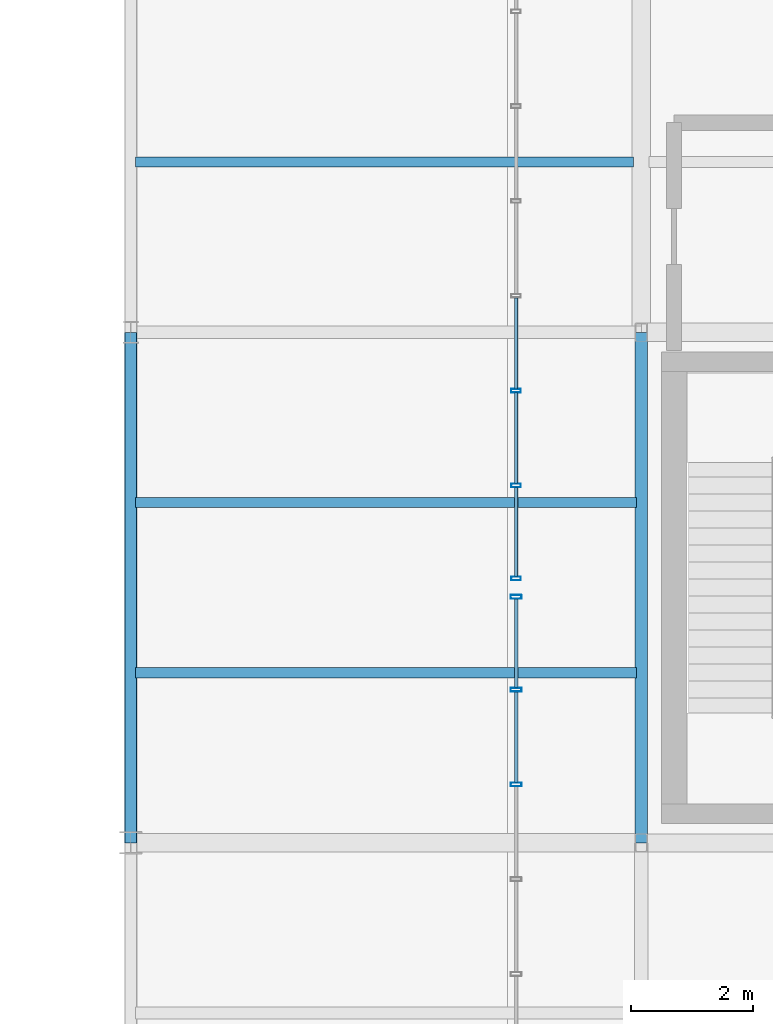
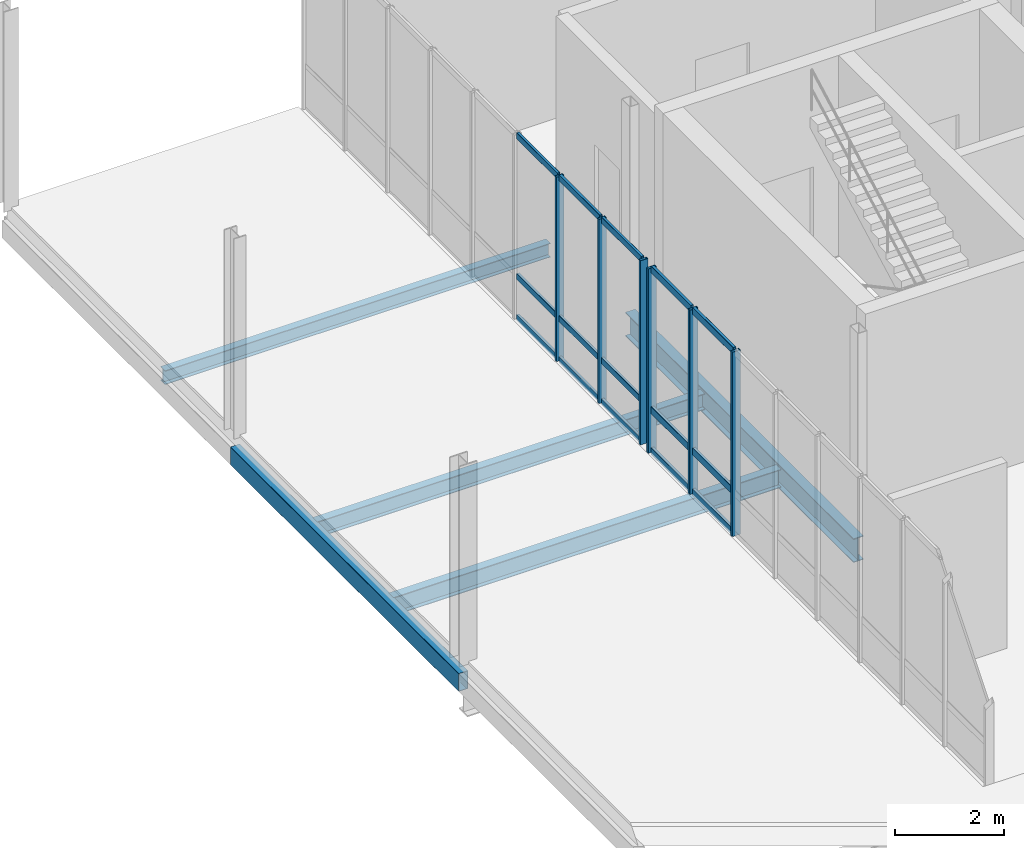
# One storey, part 42 of 68: 21 members, 5 beams, 2 elements without a shape of their own.
"""IFC4 building model written with IfcOpenShell, lengths in metres."""

from ifc_helpers import new_model, si_unit, direction, frame, origin_with_axes, origin_2d_with_axis, place, context, subcontext, project, spatial, hollow_rectangle, i_section, extrude, material, material_profile, profile_set, type_object, element, aggregate, save


model = new_model("IFC4")

# Units and contexts
model_context = context("Model", 3, precision=1e-05, world=origin_with_axes(), true_north=direction((0.0, 1.0)))
body_context = subcontext(model_context, "Body", "Model", "MODEL_VIEW")
ifc_project = project(units=[si_unit("LENGTHUNIT", "METRE"), si_unit("AREAUNIT", "SQUARE_METRE"), si_unit("VOLUMEUNIT", "CUBIC_METRE"), si_unit("PLANEANGLEUNIT", "RADIAN"), si_unit("MASSUNIT", "GRAM", prefix="KILO"), si_unit("THERMODYNAMICTEMPERATUREUNIT", "KELVIN")], contexts=[model_context])

# Site, building, storey
site_placement = place(None, origin_with_axes())
site = spatial("IfcSite", under=ifc_project, at=site_placement, CompositionType="ELEMENT")
building_placement = place(site_placement, origin_with_axes())
building = spatial("IfcBuilding", under=site, at=building_placement, Name="Montbau Bow Law Courts", CompositionType="ELEMENT")
storey_placement = place(building_placement, frame((0.0, 0.0, 20.4), z_axis=(0.0, 0.0, 1.0), x_axis=(1.0, 0.0, 0.0)))
storey = spatial("IfcBuildingStorey", under=building, at=storey_placement, Name="L04", CompositionType="ELEMENT", Elevation=20.4)

# Beams
ifc_material_1 = material(Name="Steel CSA G40.21 Grade 350W (350 MPa)", Category="steel")
ifc_material_profile_1 = material_profile(ifc_material_1, i_section(OverallWidth=0.21, OverallDepth=0.537, WebThickness=0.0109, FlangeThickness=0.0174, at=origin_2d_with_axis()), Name="W530X101", Category="Main", Priority=0)
ifc_profile_set_1 = profile_set([ifc_material_profile_1], Name="Steel CSA G40.21 Grade 350W (350 MPa)")
beam_type_1 = type_object("IfcBeamType", Name="B-FLR-06", PredefinedType="BEAM", material=ifc_profile_set_1)
beam_1_placement = place(None, frame((147.0, 86.4, 19.931), z_axis=(0.0, 1.0, 0.0), x_axis=(-1.0, 0.0, 0.0)))
element("IfcBeam", 1, at=beam_1_placement, inside=storey, type_object=beam_type_1, Name="BM-L04-S1271:bm2_1274", PredefinedType="BEAM", context=body_context, shape_type="SweptSolid", body=[
    extrude(i_section(OverallWidth=0.21, OverallDepth=0.537, WebThickness=0.0109, FlangeThickness=0.0174, at=origin_2d_with_axis()), origin_with_axes(), (0.0, 0.0, 1.0), 8.4),
])
ifc_material_profile_2 = material_profile(ifc_material_1, i_section(OverallWidth=0.179, OverallDepth=0.41, WebThickness=0.0088, FlangeThickness=0.0144, at=origin_2d_with_axis()), Name="W410X67", Category="Main", Priority=0)
ifc_profile_set_2 = profile_set([ifc_material_profile_2], Name="Steel CSA G40.21 Grade 350W (350 MPa)")
beam_type_2 = type_object("IfcBeamType", Name="B-JST-02", PredefinedType="JOIST", material=ifc_profile_set_2)
beam_2_placement = place(None, frame((138.68, 89.2, 19.905), z_axis=(1.0, 0.0, 0.0), x_axis=(0.0, 1.0, 0.0)))
element("IfcBeam", 2, at=beam_2_placement, inside=storey, type_object=beam_type_2, Name="JST-L04-S0669:jst2_0669", PredefinedType="JOIST", context=body_context, shape_type="SweptSolid", body=[
    extrude(i_section(OverallWidth=0.179, OverallDepth=0.41, WebThickness=0.0088, FlangeThickness=0.0144, at=origin_2d_with_axis()), origin_with_axes(), (0.0, 0.0, 1.0), 8.239),
])
ifc_material_profile_3 = material_profile(ifc_material_1, i_section(OverallWidth=0.172, OverallDepth=0.358, WebThickness=0.0079, FlangeThickness=0.0131, at=origin_2d_with_axis()), Name="W360X57", Category="Main", Priority=0)
ifc_profile_set_3 = profile_set([ifc_material_profile_3], Name="Steel CSA G40.21 Grade 350W (350 MPa)")
beam_type_3 = type_object("IfcBeamType", Name="B-JST-03", PredefinedType="JOIST", material=ifc_profile_set_3)
beam_3_placement = place(None, frame((138.68, 92.0, 19.931), z_axis=(1.0, 0.0, 0.0), x_axis=(0.0, 1.0, 0.0)))
element("IfcBeam", 3, at=beam_3_placement, inside=storey, type_object=beam_type_3, Name="JST-L04-S0670:jst2_0670", PredefinedType="JOIST", context=body_context, shape_type="SweptSolid", body=[
    extrude(i_section(OverallWidth=0.172, OverallDepth=0.358, WebThickness=0.0079, FlangeThickness=0.0131, at=origin_2d_with_axis()), origin_with_axes(), (0.0, 0.0, 1.0), 8.239),
])
ifc_material_profile_4 = material_profile(ifc_material_1, i_section(OverallWidth=0.166, OverallDepth=0.313, WebThickness=0.0066, FlangeThickness=0.0112, at=origin_2d_with_axis()), Name="W310X45", Category="Main", Priority=0)
ifc_profile_set_4 = profile_set([ifc_material_profile_4], Name="Steel CSA G40.21 Grade 350W (350 MPa)")
beam_type_4 = type_object("IfcBeamType", Name="B-JST-04", PredefinedType="JOIST", material=ifc_profile_set_4)
beam_4_placement = place(None, frame((138.68, 97.6, 19.953), z_axis=(1.0, 0.0, 0.0), x_axis=(0.0, 1.0, 0.0)))
element("IfcBeam", 4, at=beam_4_placement, inside=storey, type_object=beam_type_4, Name="JST-L04-S0671:jst2_0671", PredefinedType="JOIST", context=body_context, shape_type="SweptSolid", body=[
    extrude(i_section(OverallWidth=0.166, OverallDepth=0.313, WebThickness=0.0066, FlangeThickness=0.0112, at=origin_2d_with_axis()), origin_with_axes(), (0.0, 0.0, 1.0), 8.191),
])
ifc_material_2 = material(Name="Steel CSA G40.21 Grade 350WT (350 MPa)", Category="steel")
ifc_material_profile_5 = material_profile(ifc_material_2, hollow_rectangle(XDim=0.203, YDim=0.406, WallThickness=0.0127, InnerFilletRadius=0.0254, OuterFilletRadius=0.0127, at=origin_2d_with_axis()), Name="HSS406X203X13", Category="Main", Priority=0)
ifc_profile_set_5 = profile_set([ifc_material_profile_5], Name="Steel CSA G40.21 Grade 350WT (350 MPa)")
beam_type_5 = type_object("IfcBeamType", Name="B-SPN-01", PredefinedType="SPANDREL", material=ifc_profile_set_5)
beam_5_placement = place(None, frame((138.6, 86.4, 19.907), z_axis=(0.0, 1.0, 0.0), x_axis=(-1.0, 0.0, 0.0)))
element("IfcBeam", 5, at=beam_5_placement, inside=storey, type_object=beam_type_5, Name="SPN-L04-S1267:bm2_1270", PredefinedType="SPANDREL", context=body_context, shape_type="SweptSolid", body=[
    extrude(hollow_rectangle(XDim=0.203, YDim=0.406, WallThickness=0.0127, InnerFilletRadius=0.0254, OuterFilletRadius=0.0127, at=origin_2d_with_axis()), origin_with_axes(), (0.0, 0.0, 1.0), 8.4),
])

# Curtain wall, members
ifc_material_3 = material(Name="Thermally Broken Extruded Aluminium AA 6063-T6", Category="aluminium")
curtain_wall_type = type_object("IfcCurtainWallType", Name="CW-NCK-01", PredefinedType="NOTDEFINED", material=ifc_material_3)
curtain_wall_1_placement = place(None, frame((144.94, 78.0, 20.4), z_axis=(0.0, 0.0, 1.0), x_axis=(1.0, 0.0, 0.0)))
curtain_wall_1 = element("IfcCurtainWall", 6, at=curtain_wall_1_placement, inside=storey, type_object=curtain_wall_type, Name="CW-L04-328:cw_0328", PredefinedType="NOTDEFINED")
ifc_material_profile_6 = material_profile(ifc_material_3, hollow_rectangle(XDim=0.065, YDim=0.18, WallThickness=0.005, InnerFilletRadius=0.01, OuterFilletRadius=0.005, at=origin_2d_with_axis()), Name="CWM-180X65", Category="Main", Priority=0)
ifc_profile_set_6 = profile_set([ifc_material_profile_6], Name="Thermally Broken Extruded Aluminium AA 6063-T6")
member_type_1 = type_object("IfcMemberType", Name="M-MUL-02", PredefinedType="MULLION", material=ifc_profile_set_6)
member_1_placement = place(None, frame((144.94, 87.36, 20.4), z_axis=(0.0, 0.0, 1.0), x_axis=(0.0, 1.0, 0.0)))
member_1 = element("IfcMember", 7, at=member_1_placement, type_object=member_type_1, Name="CW-L04-328-M07:cw_0328_M07", PredefinedType="MULLION", context=body_context, shape_type="SweptSolid", body=[
    extrude(hollow_rectangle(XDim=0.065, YDim=0.18, WallThickness=0.005, InnerFilletRadius=0.01, OuterFilletRadius=0.005, at=origin_2d_with_axis()), origin_with_axes(), (0.0, 0.0, 1.0), 4.14),
])
member_2_placement = place(None, frame((144.94, 88.92, 20.4), z_axis=(0.0, 0.0, 1.0), x_axis=(0.0, 1.0, 0.0)))
member_2 = element("IfcMember", 8, at=member_2_placement, type_object=member_type_1, Name="CW-L04-328-M08:cw_0328_M08", PredefinedType="MULLION", context=body_context, shape_type="SweptSolid", body=[
    extrude(hollow_rectangle(XDim=0.065, YDim=0.18, WallThickness=0.005, InnerFilletRadius=0.01, OuterFilletRadius=0.005, at=origin_2d_with_axis()), origin_with_axes(), (0.0, 0.0, 1.0), 4.14),
])
member_3_placement = place(None, frame((144.94, 90.448, 20.4), z_axis=(0.0, 0.0, 1.0), x_axis=(0.0, 1.0, 0.0)))
member_3 = element("IfcMember", 9, at=member_3_placement, type_object=member_type_1, Name="CW-L04-328-M09:cw_0328_M09", PredefinedType="MULLION", context=body_context, shape_type="SweptSolid", body=[
    extrude(hollow_rectangle(XDim=0.065, YDim=0.18, WallThickness=0.005, InnerFilletRadius=0.01, OuterFilletRadius=0.005, at=origin_2d_with_axis()), origin_with_axes(), (0.0, 0.0, 1.0), 4.14),
])

curtain_wall_2_placement = place(None, frame((144.94, 90.72, 20.4), z_axis=(0.0, 0.0, 1.0), x_axis=(1.0, 0.0, 0.0)))
curtain_wall_2 = element("IfcCurtainWall", 10, at=curtain_wall_2_placement, inside=storey, type_object=curtain_wall_type, Name="CW-L04-329:cw_0329", PredefinedType="NOTDEFINED")
ifc_material_profile_7 = material_profile(ifc_material_3, hollow_rectangle(XDim=0.06, YDim=0.16, WallThickness=0.004, InnerFilletRadius=0.008, OuterFilletRadius=0.004, at=origin_2d_with_axis()), Name="CWM-160X60", Category="Main", Priority=0)
ifc_profile_set_7 = profile_set([ifc_material_profile_7], Name="Thermally Broken Extruded Aluminium AA 6063-T6")
member_type_2 = type_object("IfcMemberType", Name="M-MUL-03", PredefinedType="MULLION", material=ifc_profile_set_7)
member_4_placement = place(None, frame((144.94, 90.75, 20.4), z_axis=(0.0, 0.0, 1.0), x_axis=(0.0, 1.0, 0.0)))
member_4 = element("IfcMember", 11, at=member_4_placement, type_object=member_type_2, Name="CW-L04-329-M01:cw_0329_M01", PredefinedType="MULLION", context=body_context, shape_type="SweptSolid", body=[
    extrude(hollow_rectangle(XDim=0.06, YDim=0.16, WallThickness=0.004, InnerFilletRadius=0.008, OuterFilletRadius=0.004, at=origin_2d_with_axis()), origin_with_axes(), (0.0, 0.0, 1.0), 4.14),
])
member_5_placement = place(None, frame((144.94, 92.28, 20.4), z_axis=(0.0, 0.0, 1.0), x_axis=(0.0, 1.0, 0.0)))
member_5 = element("IfcMember", 12, at=member_5_placement, type_object=member_type_2, Name="CW-L04-329-M02:cw_0329_M02", PredefinedType="MULLION", context=body_context, shape_type="SweptSolid", body=[
    extrude(hollow_rectangle(XDim=0.06, YDim=0.16, WallThickness=0.004, InnerFilletRadius=0.008, OuterFilletRadius=0.004, at=origin_2d_with_axis()), origin_with_axes(), (0.0, 0.0, 1.0), 4.14),
])
member_6_placement = place(None, frame((144.94, 93.84, 20.4), z_axis=(0.0, 0.0, 1.0), x_axis=(0.0, 1.0, 0.0)))
member_6 = element("IfcMember", 13, at=member_6_placement, type_object=member_type_2, Name="CW-L04-329-M03:cw_0329_M03", PredefinedType="MULLION", context=body_context, shape_type="SweptSolid", body=[
    extrude(hollow_rectangle(XDim=0.06, YDim=0.16, WallThickness=0.004, InnerFilletRadius=0.008, OuterFilletRadius=0.004, at=origin_2d_with_axis()), origin_with_axes(), (0.0, 0.0, 1.0), 4.14),
])

# Member
ifc_material_profile_8 = material_profile(ifc_material_3, hollow_rectangle(XDim=0.06, YDim=0.16, WallThickness=0.004, InnerFilletRadius=0.008, OuterFilletRadius=0.004, at=origin_2d_with_axis()), Name="CWT-160X60", Category="Main", Priority=0)
ifc_profile_set_8 = profile_set([ifc_material_profile_8], Name="Thermally Broken Extruded Aluminium AA 6063-T6")
member_type_3 = type_object("IfcMemberType", Name="M-TRN-01", PredefinedType="USERDEFINED", material=ifc_profile_set_8)
member_7_placement = place(None, frame((144.94, 87.395, 20.43), z_axis=(0.0, 1.0, 0.0), x_axis=(-1.0, 0.0, 0.0)))
member_7 = element("IfcMember", 14, at=member_7_placement, type_object=member_type_3, Name="CW-L04-328-T07-1:cw_0328_T07_1", ObjectType="TRANSOM", PredefinedType="USERDEFINED", context=body_context, shape_type="SweptSolid", body=[
    extrude(hollow_rectangle(XDim=0.06, YDim=0.16, WallThickness=0.004, InnerFilletRadius=0.008, OuterFilletRadius=0.004, at=origin_2d_with_axis()), origin_with_axes(), (0.0, 0.0, 1.0), 1.49),
])

member_8_placement = place(None, frame((144.94, 87.395, 21.35), z_axis=(0.0, 1.0, 0.0), x_axis=(-1.0, 0.0, 0.0)))
member_8 = element("IfcMember", 15, at=member_8_placement, type_object=member_type_3, Name="CW-L04-328-T07-2:cw_0328_T07_2", ObjectType="TRANSOM", PredefinedType="USERDEFINED", context=body_context, shape_type="SweptSolid", body=[
    extrude(hollow_rectangle(XDim=0.06, YDim=0.16, WallThickness=0.004, InnerFilletRadius=0.008, OuterFilletRadius=0.004, at=origin_2d_with_axis()), origin_with_axes(), (0.0, 0.0, 1.0), 1.49),
])

member_9_placement = place(None, frame((144.94, 87.395, 24.51), z_axis=(0.0, 1.0, 0.0), x_axis=(-1.0, 0.0, 0.0)))
member_9 = element("IfcMember", 16, at=member_9_placement, type_object=member_type_3, Name="CW-L04-328-T07-3:cw_0328_T07_3", ObjectType="TRANSOM", PredefinedType="USERDEFINED", context=body_context, shape_type="SweptSolid", body=[
    extrude(hollow_rectangle(XDim=0.06, YDim=0.16, WallThickness=0.004, InnerFilletRadius=0.008, OuterFilletRadius=0.004, at=origin_2d_with_axis()), origin_with_axes(), (0.0, 0.0, 1.0), 1.49),
])

member_10_placement = place(None, frame((144.94, 88.955, 20.43), z_axis=(0.0, 1.0, 0.0), x_axis=(-1.0, 0.0, 0.0)))
member_10 = element("IfcMember", 17, at=member_10_placement, type_object=member_type_3, Name="CW-L04-328-T08-1:cw_0328_T08_1", ObjectType="TRANSOM", PredefinedType="USERDEFINED", context=body_context, shape_type="SweptSolid", body=[
    extrude(hollow_rectangle(XDim=0.06, YDim=0.16, WallThickness=0.004, InnerFilletRadius=0.008, OuterFilletRadius=0.004, at=origin_2d_with_axis()), origin_with_axes(), (0.0, 0.0, 1.0), 1.458),
])

member_11_placement = place(None, frame((144.94, 88.955, 21.35), z_axis=(0.0, 1.0, 0.0), x_axis=(-1.0, 0.0, 0.0)))
member_11 = element("IfcMember", 18, at=member_11_placement, type_object=member_type_3, Name="CW-L04-328-T08-2:cw_0328_T08_2", ObjectType="TRANSOM", PredefinedType="USERDEFINED", context=body_context, shape_type="SweptSolid", body=[
    extrude(hollow_rectangle(XDim=0.06, YDim=0.16, WallThickness=0.004, InnerFilletRadius=0.008, OuterFilletRadius=0.004, at=origin_2d_with_axis()), origin_with_axes(), (0.0, 0.0, 1.0), 1.458),
])

member_12_placement = place(None, frame((144.94, 88.955, 24.51), z_axis=(0.0, 1.0, 0.0), x_axis=(-1.0, 0.0, 0.0)))
member_12 = element("IfcMember", 19, at=member_12_placement, type_object=member_type_3, Name="CW-L04-328-T08-3:cw_0328_T08_3", ObjectType="TRANSOM", PredefinedType="USERDEFINED", context=body_context, shape_type="SweptSolid", body=[
    extrude(hollow_rectangle(XDim=0.06, YDim=0.16, WallThickness=0.004, InnerFilletRadius=0.008, OuterFilletRadius=0.004, at=origin_2d_with_axis()), origin_with_axes(), (0.0, 0.0, 1.0), 1.458),
])

aggregate(curtain_wall_1, [member_1, member_2, member_3, member_7, member_8, member_9, member_10, member_11, member_12])

ifc_material_profile_9 = material_profile(ifc_material_3, hollow_rectangle(XDim=0.055, YDim=0.14, WallThickness=0.004, InnerFilletRadius=0.008, OuterFilletRadius=0.004, at=origin_2d_with_axis()), Name="CWT-140X55", Category="Main", Priority=0)
ifc_profile_set_9 = profile_set([ifc_material_profile_9], Name="Thermally Broken Extruded Aluminium AA 6063-T6")
member_type_4 = type_object("IfcMemberType", Name="M-TRN-02", PredefinedType="USERDEFINED", material=ifc_profile_set_9)
member_13_placement = place(None, frame((144.94, 90.782, 20.427), z_axis=(0.0, 1.0, 0.0), x_axis=(-1.0, 0.0, 0.0)))
member_13 = element("IfcMember", 20, at=member_13_placement, type_object=member_type_4, Name="CW-L04-329-T01-1:cw_0329_T01_1", ObjectType="TRANSOM", PredefinedType="USERDEFINED", context=body_context, shape_type="SweptSolid", body=[
    extrude(hollow_rectangle(XDim=0.055, YDim=0.14, WallThickness=0.004, InnerFilletRadius=0.008, OuterFilletRadius=0.004, at=origin_2d_with_axis()), origin_with_axes(), (0.0, 0.0, 1.0), 1.466),
])

member_14_placement = place(None, frame((144.94, 90.782, 21.35), z_axis=(0.0, 1.0, 0.0), x_axis=(-1.0, 0.0, 0.0)))
member_14 = element("IfcMember", 21, at=member_14_placement, type_object=member_type_4, Name="CW-L04-329-T01-2:cw_0329_T01_2", ObjectType="TRANSOM", PredefinedType="USERDEFINED", context=body_context, shape_type="SweptSolid", body=[
    extrude(hollow_rectangle(XDim=0.055, YDim=0.14, WallThickness=0.004, InnerFilletRadius=0.008, OuterFilletRadius=0.004, at=origin_2d_with_axis()), origin_with_axes(), (0.0, 0.0, 1.0), 1.466),
])

member_15_placement = place(None, frame((144.94, 90.782, 24.512), z_axis=(0.0, 1.0, 0.0), x_axis=(-1.0, 0.0, 0.0)))
member_15 = element("IfcMember", 22, at=member_15_placement, type_object=member_type_4, Name="CW-L04-329-T01-3:cw_0329_T01_3", ObjectType="TRANSOM", PredefinedType="USERDEFINED", context=body_context, shape_type="SweptSolid", body=[
    extrude(hollow_rectangle(XDim=0.055, YDim=0.14, WallThickness=0.004, InnerFilletRadius=0.008, OuterFilletRadius=0.004, at=origin_2d_with_axis()), origin_with_axes(), (0.0, 0.0, 1.0), 1.466),
])

member_16_placement = place(None, frame((144.94, 92.312, 20.427), z_axis=(0.0, 1.0, 0.0), x_axis=(-1.0, 0.0, 0.0)))
member_16 = element("IfcMember", 23, at=member_16_placement, type_object=member_type_4, Name="CW-L04-329-T02-1:cw_0329_T02_1", ObjectType="TRANSOM", PredefinedType="USERDEFINED", context=body_context, shape_type="SweptSolid", body=[
    extrude(hollow_rectangle(XDim=0.055, YDim=0.14, WallThickness=0.004, InnerFilletRadius=0.008, OuterFilletRadius=0.004, at=origin_2d_with_axis()), origin_with_axes(), (0.0, 0.0, 1.0), 1.496),
])

member_17_placement = place(None, frame((144.94, 92.312, 21.35), z_axis=(0.0, 1.0, 0.0), x_axis=(-1.0, 0.0, 0.0)))
member_17 = element("IfcMember", 24, at=member_17_placement, type_object=member_type_4, Name="CW-L04-329-T02-2:cw_0329_T02_2", ObjectType="TRANSOM", PredefinedType="USERDEFINED", context=body_context, shape_type="SweptSolid", body=[
    extrude(hollow_rectangle(XDim=0.055, YDim=0.14, WallThickness=0.004, InnerFilletRadius=0.008, OuterFilletRadius=0.004, at=origin_2d_with_axis()), origin_with_axes(), (0.0, 0.0, 1.0), 1.496),
])

member_18_placement = place(None, frame((144.94, 92.312, 24.512), z_axis=(0.0, 1.0, 0.0), x_axis=(-1.0, 0.0, 0.0)))
member_18 = element("IfcMember", 25, at=member_18_placement, type_object=member_type_4, Name="CW-L04-329-T02-3:cw_0329_T02_3", ObjectType="TRANSOM", PredefinedType="USERDEFINED", context=body_context, shape_type="SweptSolid", body=[
    extrude(hollow_rectangle(XDim=0.055, YDim=0.14, WallThickness=0.004, InnerFilletRadius=0.008, OuterFilletRadius=0.004, at=origin_2d_with_axis()), origin_with_axes(), (0.0, 0.0, 1.0), 1.496),
])

member_19_placement = place(None, frame((144.94, 93.872, 20.427), z_axis=(0.0, 1.0, 0.0), x_axis=(-1.0, 0.0, 0.0)))
member_19 = element("IfcMember", 26, at=member_19_placement, type_object=member_type_4, Name="CW-L04-329-T03-1:cw_0329_T03_1", ObjectType="TRANSOM", PredefinedType="USERDEFINED", context=body_context, shape_type="SweptSolid", body=[
    extrude(hollow_rectangle(XDim=0.055, YDim=0.14, WallThickness=0.004, InnerFilletRadius=0.008, OuterFilletRadius=0.004, at=origin_2d_with_axis()), origin_with_axes(), (0.0, 0.0, 1.0), 1.496),
])

member_20_placement = place(None, frame((144.94, 93.872, 21.35), z_axis=(0.0, 1.0, 0.0), x_axis=(-1.0, 0.0, 0.0)))
member_20 = element("IfcMember", 27, at=member_20_placement, type_object=member_type_4, Name="CW-L04-329-T03-2:cw_0329_T03_2", ObjectType="TRANSOM", PredefinedType="USERDEFINED", context=body_context, shape_type="SweptSolid", body=[
    extrude(hollow_rectangle(XDim=0.055, YDim=0.14, WallThickness=0.004, InnerFilletRadius=0.008, OuterFilletRadius=0.004, at=origin_2d_with_axis()), origin_with_axes(), (0.0, 0.0, 1.0), 1.496),
])

member_21_placement = place(None, frame((144.94, 93.872, 24.512), z_axis=(0.0, 1.0, 0.0), x_axis=(-1.0, 0.0, 0.0)))
member_21 = element("IfcMember", 28, at=member_21_placement, type_object=member_type_4, Name="CW-L04-329-T03-3:cw_0329_T03_3", ObjectType="TRANSOM", PredefinedType="USERDEFINED", context=body_context, shape_type="SweptSolid", body=[
    extrude(hollow_rectangle(XDim=0.055, YDim=0.14, WallThickness=0.004, InnerFilletRadius=0.008, OuterFilletRadius=0.004, at=origin_2d_with_axis()), origin_with_axes(), (0.0, 0.0, 1.0), 1.496),
])

aggregate(curtain_wall_2, [member_4, member_5, member_6, member_13, member_14, member_15, member_16, member_17, member_18, member_19, member_20, member_21])

save(model, "model.ifc")
